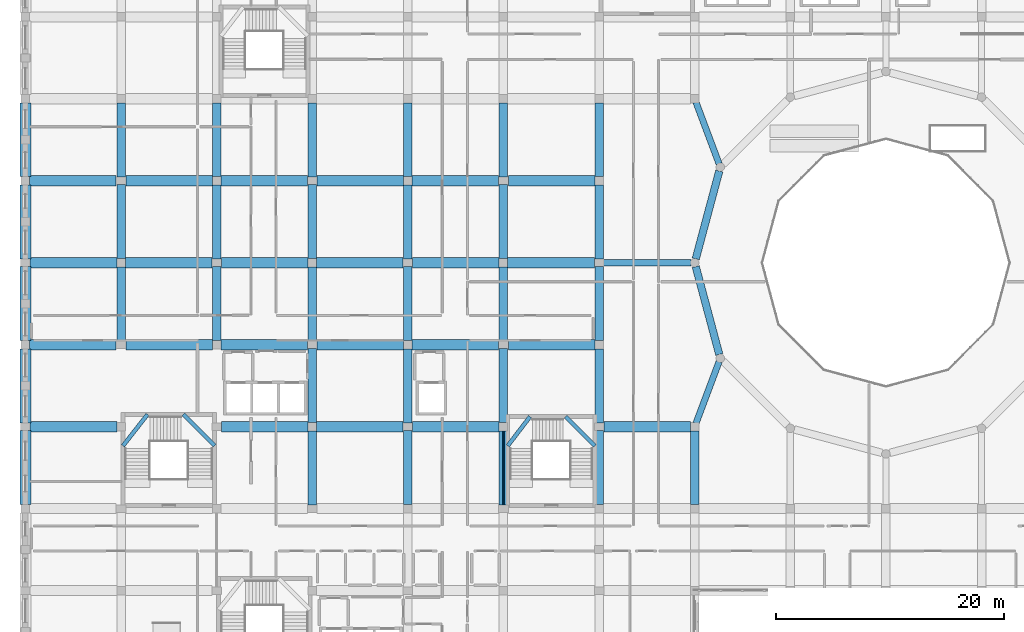
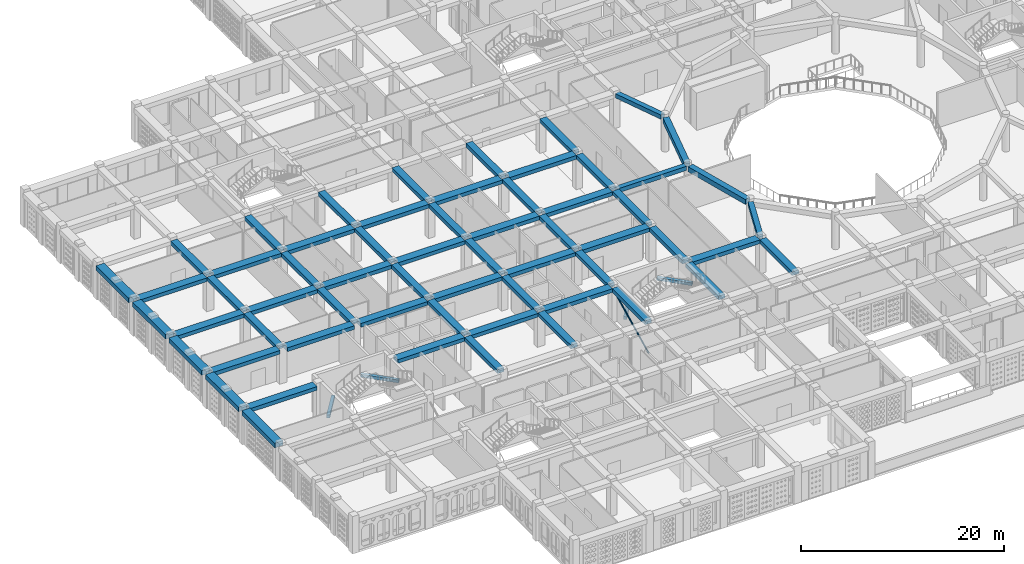
# One storey, part 13 of 111: 64 beams, 1 member.
"""IFC4 building model written with IfcOpenShell, lengths in metres."""

from ifc_helpers import new_model, si_unit, derived_unit, direction, frame, origin, origin_2d, place, context, subcontext, project, spatial, rectangle, hollow_circle, extrude, material, material_profile, profile_set, type_object, element, save


model = new_model("IFC4")

# Units and contexts
model_context = context("Model", 3, precision=1e-05, world=origin(), true_north=direction((0.0, 1.0)))
body_context = subcontext(model_context, "Body", "Model", "MODEL_VIEW")
ifc_project = project(units=[si_unit("LENGTHUNIT", "METRE"), si_unit("AREAUNIT", "SQUARE_METRE"), si_unit("VOLUMEUNIT", "CUBIC_METRE"), si_unit("PLANEANGLEUNIT", "RADIAN"), si_unit("MASSUNIT", "GRAM", prefix="KILO"), derived_unit("THERMALTRANSMITTANCEUNIT", [(si_unit("POWERUNIT", "WATT"), 1), (si_unit("LENGTHUNIT", "METRE"), -2), (si_unit("THERMODYNAMICTEMPERATUREUNIT", "KELVIN"), -1)])], contexts=[model_context])

# Site, building, storey
site_placement = place(None, origin())
site = spatial("IfcSite", under=ifc_project, at=site_placement, CompositionType="ELEMENT")
building_placement = place(site_placement, origin())
building = spatial("IfcBuilding", under=site, at=building_placement, Name="Veybourne Emporium", CompositionType="ELEMENT")
storey_placement = place(building_placement, frame((0.0, 0.0, 9.89990234375)))
storey = spatial("IfcBuildingStorey", under=building, at=storey_placement, Name="L02", CompositionType="ELEMENT", Elevation=9.89990234375)

# Beams
ifc_material_1 = material(Name="Concrete C32/40", Category="concrete")
ifc_material_profile_1 = material_profile(ifc_material_1, rectangle(XDim=0.35009765625, YDim=0.35009765625, at=origin_2d()), Name="RC 350x350")
ifc_profile_set_1 = profile_set([ifc_material_profile_1], Name="Concrete C32/40")
beam_type_1 = type_object("IfcBeamType", Name="LandingBeam_LB-01", PredefinedType="BEAM", material=ifc_profile_set_1)
beam_1_placement = place(storey_placement, frame((8.574951171875, 34.320068359375, 1.125), z_axis=(0.616136975881, 0.787639020714, 0.0), x_axis=(-0.787639020714, 0.616136975881, 0.0)))
element("IfcBeam", 1, at=beam_1_placement, inside=storey, type_object=beam_type_1, Name="L02 ST-02 landing 1 support beam", PredefinedType="BEAM", context=body_context, shape_type="SweptSolid", body=[
    extrude(rectangle(XDim=0.35009765625, YDim=0.35009765625, at=origin_2d()), origin(), (0.0, 0.0, 1.0), 3.49755859375),
])
beam_2_placement = place(storey_placement, frame((13.8701171875, 37.074951171875, 2.625), z_axis=(0.707106781187, -0.707106781187, 0.0), x_axis=(0.707106781187, 0.707106781187, 0.0)))
element("IfcBeam", 2, at=beam_2_placement, inside=storey, type_object=beam_type_1, Name="L02 ST-02 landing 2 support beam", PredefinedType="BEAM", context=body_context, shape_type="SweptSolid", body=[
    extrude(rectangle(XDim=0.35009765625, YDim=0.35009765625, at=origin_2d()), origin(), (0.0, 0.0, 1.0), 3.89599609375),
])
beam_3_placement = place(storey_placement, frame((42.375, 34.320068359375, 1.125), z_axis=(0.60770640308, 0.794161776753, 0.0), x_axis=(-0.794161776753, 0.60770640308, 0.0)))
element("IfcBeam", 3, at=beam_3_placement, inside=storey, type_object=beam_type_1, Name="L02 ST-05 landing 1 support beam", PredefinedType="BEAM", context=body_context, shape_type="SweptSolid", body=[
    extrude(rectangle(XDim=0.35009765625, YDim=0.35009765625, at=origin_2d()), origin(), (0.0, 0.0, 1.0), 3.217041015625),
])
beam_4_placement = place(storey_placement, frame((47.469970703125, 36.875, 2.625), z_axis=(0.707106781187, -0.707106781187, 0.0), x_axis=(0.707106781187, 0.707106781187, 0.0)))
element("IfcBeam", 4, at=beam_4_placement, inside=storey, type_object=beam_type_1, Name="L02 ST-05 landing 2 support beam", PredefinedType="BEAM", context=body_context, shape_type="SweptSolid", body=[
    extrude(rectangle(XDim=0.35009765625, YDim=0.35009765625, at=origin_2d()), origin(), (0.0, 0.0, 1.0), 3.61328125),
])
ifc_material_profile_2 = material_profile(ifc_material_1, rectangle(XDim=0.89990234375, YDim=0.449951171875, at=origin_2d()), Name="RC 900x450")
ifc_profile_set_2 = profile_set([ifc_material_profile_2], Name="Concrete C32/40")
beam_type_2 = type_object("IfcBeamType", Name="RCBeam_BB-03", PredefinedType="BEAM", material=ifc_profile_set_2)
beam_5_placement = place(storey_placement, frame((0.425048828125, 36.0, 3.955078125), z_axis=(1.0, 0.0, 0.0), x_axis=(0.0, 1.0, 0.0)))
element("IfcBeam", 5, at=beam_5_placement, inside=storey, type_object=beam_type_2, Name="L02 X-grid beam BB-03 (0,5)", PredefinedType="BEAM", context=body_context, shape_type="SweptSolid", body=[
    extrude(rectangle(XDim=0.89990234375, YDim=0.449951171875, at=origin_2d()), origin(), (0.0, 0.0, 1.0), 7.599853515625),
])
beam_6_placement = place(storey_placement, frame((0.375, 43.199951171875, 3.955078125), z_axis=(1.0, 0.0, 0.0), x_axis=(0.0, 1.0, 0.0)))
element("IfcBeam", 6, at=beam_6_placement, inside=storey, type_object=beam_type_2, Name="L02 X-grid beam BB-03 (0,6)", PredefinedType="BEAM", context=body_context, shape_type="SweptSolid", body=[
    extrude(rectangle(XDim=0.89990234375, YDim=0.449951171875, at=origin_2d()), origin(), (0.0, 0.0, 1.0), 7.60009765625),
])
beam_7_placement = place(storey_placement, frame((0.425048828125, 50.39990234375, 3.955078125), z_axis=(1.0, 0.0, 0.0), x_axis=(0.0, 1.0, 0.0)))
element("IfcBeam", 7, at=beam_7_placement, inside=storey, type_object=beam_type_2, Name="L02 X-grid beam BB-03 (0,7)", PredefinedType="BEAM", context=body_context, shape_type="SweptSolid", body=[
    extrude(rectangle(XDim=0.89990234375, YDim=0.449951171875, at=origin_2d()), origin(), (0.0, 0.0, 1.0), 7.599853515625),
])
for number, where, z_axis, x_axis, name in (
    (8, (0.375, 57.60009765625, 3.955078125), (1.0, 0.0, 0.0), (0.0, 1.0, 0.0), "L02 X-grid beam BB-03 (0,8)"),
    (9, (8.824951171875, 43.199951171875, 3.955078125), (1.0, 0.0, 0.0), (0.0, 1.0, 0.0), "L02 X-grid beam BB-03 (1,6)"),
    (10, (8.77490234375, 50.39990234375, 3.955078125), (1.0, 0.0, 0.0), (0.0, 1.0, 0.0), "L02 X-grid beam BB-03 (1,7)"),
    (11, (8.824951171875, 57.60009765625, 3.955078125), (1.0, 0.0, 0.0), (0.0, 1.0, 0.0), "L02 X-grid beam BB-03 (1,8)"),
):
    element("IfcBeam", number, at=place(storey_placement, frame(where, z_axis=z_axis, x_axis=x_axis)), inside=storey, type_object=beam_type_2, Name=name, PredefinedType="BEAM", context=body_context, shape_type="SweptSolid", body=[
        extrude(rectangle(XDim=0.89990234375, YDim=0.449951171875, at=origin_2d()), origin(), (0.0, 0.0, 1.0), 7.60009765625),
    ])
for number, where, z_axis, x_axis, name in (
    (12, (17.22509765625, 36.0, 3.955078125), (1.0, 0.0, 0.0), (0.0, 1.0, 0.0), "L02 X-grid beam BB-03 (2,5)"),
    (13, (17.175048828125, 43.199951171875, 3.955078125), (1.0, 0.0, 0.0), (0.0, 1.0, 0.0), "L02 X-grid beam BB-03 (2,6)"),
    (14, (17.22509765625, 50.39990234375, 3.955078125), (1.0, 0.0, 0.0), (0.0, 1.0, 0.0), "L02 X-grid beam BB-03 (2,7)"),
    (15, (17.175048828125, 57.60009765625, 3.955078125), (1.0, 0.0, 0.0), (0.0, 1.0, 0.0), "L02 X-grid beam BB-03 (2,8)"),
):
    element("IfcBeam", number, at=place(storey_placement, frame(where, z_axis=z_axis, x_axis=x_axis)), inside=storey, type_object=beam_type_2, Name=name, PredefinedType="BEAM", context=body_context, shape_type="SweptSolid", body=[
        extrude(rectangle(XDim=0.89990234375, YDim=0.449951171875, at=origin_2d()), origin(), (0.0, 0.0, 1.0), 7.599853515625),
    ])
for number, where, z_axis, x_axis, name in (
    (16, (25.574951171875, 36.0, 3.955078125), (1.0, 0.0, 0.0), (0.0, 1.0, 0.0), "L02 X-grid beam BB-03 (3,5)"),
    (17, (25.625, 43.199951171875, 3.955078125), (1.0, 0.0, 0.0), (0.0, 1.0, 0.0), "L02 X-grid beam BB-03 (3,6)"),
    (18, (25.574951171875, 50.39990234375, 3.955078125), (1.0, 0.0, 0.0), (0.0, 1.0, 0.0), "L02 X-grid beam BB-03 (3,7)"),
    (19, (25.625, 57.60009765625, 3.955078125), (1.0, 0.0, 0.0), (0.0, 1.0, 0.0), "L02 X-grid beam BB-03 (3,8)"),
    (20, (34.02490234375, 36.0, 3.955078125), (1.0, 0.0, 0.0), (0.0, 1.0, 0.0), "L02 X-grid beam BB-03 (4,5)"),
):
    element("IfcBeam", number, at=place(storey_placement, frame(where, z_axis=z_axis, x_axis=x_axis)), inside=storey, type_object=beam_type_2, Name=name, PredefinedType="BEAM", context=body_context, shape_type="SweptSolid", body=[
        extrude(rectangle(XDim=0.89990234375, YDim=0.449951171875, at=origin_2d()), origin(), (0.0, 0.0, 1.0), 7.60009765625),
    ])
beam_8_placement = place(storey_placement, frame((33.97509765625, 43.199951171875, 3.955078125), z_axis=(1.0, 0.0, 0.0), x_axis=(0.0, 1.0, 0.0)))
element("IfcBeam", 21, at=beam_8_placement, inside=storey, type_object=beam_type_2, Name="L02 X-grid beam BB-03 (4,6)", PredefinedType="BEAM", context=body_context, shape_type="SweptSolid", body=[
    extrude(rectangle(XDim=0.89990234375, YDim=0.449951171875, at=origin_2d()), origin(), (0.0, 0.0, 1.0), 7.599853515625),
])
beam_9_placement = place(storey_placement, frame((34.02490234375, 50.39990234375, 3.955078125), z_axis=(1.0, 0.0, 0.0), x_axis=(0.0, 1.0, 0.0)))
element("IfcBeam", 22, at=beam_9_placement, inside=storey, type_object=beam_type_2, Name="L02 X-grid beam BB-03 (4,7)", PredefinedType="BEAM", context=body_context, shape_type="SweptSolid", body=[
    extrude(rectangle(XDim=0.89990234375, YDim=0.449951171875, at=origin_2d()), origin(), (0.0, 0.0, 1.0), 7.60009765625),
])
for number, where, z_axis, x_axis, name in (
    (23, (33.97509765625, 57.60009765625, 3.955078125), (1.0, 0.0, 0.0), (0.0, 1.0, 0.0), "L02 X-grid beam BB-03 (4,8)"),
    (24, (42.425048828125, 43.199951171875, 3.955078125), (1.0, 0.0, 0.0), (0.0, 1.0, 0.0), "L02 X-grid beam BB-03 (5,6)"),
):
    element("IfcBeam", number, at=place(storey_placement, frame(where, z_axis=z_axis, x_axis=x_axis)), inside=storey, type_object=beam_type_2, Name=name, PredefinedType="BEAM", context=body_context, shape_type="SweptSolid", body=[
        extrude(rectangle(XDim=0.89990234375, YDim=0.449951171875, at=origin_2d()), origin(), (0.0, 0.0, 1.0), 7.599853515625),
    ])
beam_10_placement = place(storey_placement, frame((42.375, 50.39990234375, 3.955078125), z_axis=(1.0, 0.0, 0.0), x_axis=(0.0, 1.0, 0.0)))
element("IfcBeam", 25, at=beam_10_placement, inside=storey, type_object=beam_type_2, Name="L02 X-grid beam BB-03 (5,7)", PredefinedType="BEAM", context=body_context, shape_type="SweptSolid", body=[
    extrude(rectangle(XDim=0.89990234375, YDim=0.449951171875, at=origin_2d()), origin(), (0.0, 0.0, 1.0), 7.60009765625),
])
beam_11_placement = place(storey_placement, frame((42.425048828125, 57.60009765625, 3.955078125), z_axis=(1.0, 0.0, 0.0), x_axis=(0.0, 1.0, 0.0)))
element("IfcBeam", 26, at=beam_11_placement, inside=storey, type_object=beam_type_2, Name="L02 X-grid beam BB-03 (5,8)", PredefinedType="BEAM", context=body_context, shape_type="SweptSolid", body=[
    extrude(rectangle(XDim=0.89990234375, YDim=0.449951171875, at=origin_2d()), origin(), (0.0, 0.0, 1.0), 7.599853515625),
])
beam_12_placement = place(storey_placement, frame((50.824951171875, 36.0, 3.955078125), z_axis=(1.0, 0.0, 0.0), x_axis=(0.0, 1.0, 0.0)))
element("IfcBeam", 27, at=beam_12_placement, inside=storey, type_object=beam_type_2, Name="L02 X-grid beam BB-03 (6,5)", PredefinedType="BEAM", context=body_context, shape_type="SweptSolid", body=[
    extrude(rectangle(XDim=0.89990234375, YDim=0.449951171875, at=origin_2d()), origin(), (0.0, 0.0, 1.0), 7.60009765625),
])
ifc_material_profile_3 = material_profile(ifc_material_1, rectangle(XDim=0.75, YDim=0.449951171875, at=origin_2d()), Name="RC 750x450")
ifc_profile_set_3 = profile_set([ifc_material_profile_3], Name="Concrete C32/40")
beam_type_3 = type_object("IfcBeamType", Name="RCBeam_BB-04", PredefinedType="BEAM", material=ifc_profile_set_3)
for number, where, z_axis, x_axis, name in (
    (28, (8.39990234375, 43.52490234375, 3.955078125), (0.0, 1.0, 0.0), (-1.0, 0.0, 0.0), "L02 Y-grid beam BB-04 (1,6)"),
    (29, (8.39990234375, 50.77490234375, 3.955078125), (0.0, 1.0, 0.0), (-1.0, 0.0, 0.0), "L02 Y-grid beam BB-04 (1,7)"),
    (30, (8.39990234375, 57.925048828125, 3.955078125), (0.0, 1.0, 0.0), (-1.0, 0.0, 0.0), "L02 Y-grid beam BB-04 (1,8)"),
    (31, (16.800048828125, 43.574951171875, 3.955078125), (0.0, 1.0, 0.0), (-1.0, 0.0, 0.0), "L02 Y-grid beam BB-04 (2,6)"),
    (32, (16.800048828125, 50.72509765625, 3.955078125), (0.0, 1.0, 0.0), (-1.0, 0.0, 0.0), "L02 Y-grid beam BB-04 (2,7)"),
):
    element("IfcBeam", number, at=place(storey_placement, frame(where, z_axis=z_axis, x_axis=x_axis)), inside=storey, type_object=beam_type_3, Name=name, PredefinedType="BEAM", context=body_context, shape_type="SweptSolid", body=[
        extrude(rectangle(XDim=0.75, YDim=0.449951171875, at=origin_2d()), origin(), (0.0, 0.0, 1.0), 6.5),
    ])
beam_13_placement = place(storey_placement, frame((16.800048828125, 57.97509765625, 3.955078125), z_axis=(0.0, 1.0, 0.0), x_axis=(-1.0, 0.0, 0.0)))
element("IfcBeam", 33, at=beam_13_placement, inside=storey, type_object=beam_type_3, Name="L02 Y-grid beam BB-04 (2,8)", PredefinedType="BEAM", context=body_context, shape_type="SweptSolid", body=[
    extrude(rectangle(XDim=0.75, YDim=0.449951171875, at=origin_2d()), origin(), (0.0, 0.0, 1.0), 6.449951171875),
])
for number, where, z_axis, x_axis, name in (
    (34, (25.199951171875, 29.125, 3.955078125), (0.0, 1.0, 0.0), (-1.0, 0.0, 0.0), "L02 Y-grid beam BB-04 (3,4)"),
    (35, (25.199951171875, 36.375, 3.955078125), (0.0, 1.0, 0.0), (-1.0, 0.0, 0.0), "L02 Y-grid beam BB-04 (3,5)"),
    (36, (25.199951171875, 43.52490234375, 3.955078125), (0.0, 1.0, 0.0), (-1.0, 0.0, 0.0), "L02 Y-grid beam BB-04 (3,6)"),
    (37, (25.199951171875, 50.77490234375, 3.955078125), (0.0, 1.0, 0.0), (-1.0, 0.0, 0.0), "L02 Y-grid beam BB-04 (3,7)"),
    (38, (25.199951171875, 57.925048828125, 3.955078125), (0.0, 1.0, 0.0), (-1.0, 0.0, 0.0), "L02 Y-grid beam BB-04 (3,8)"),
    (39, (33.60009765625, 29.175048828125, 3.955078125), (0.0, 1.0, 0.0), (-1.0, 0.0, 0.0), "L02 Y-grid beam BB-04 (4,4)"),
    (40, (33.60009765625, 36.324951171875, 3.955078125), (0.0, 1.0, 0.0), (-1.0, 0.0, 0.0), "L02 Y-grid beam BB-04 (4,5)"),
    (41, (33.60009765625, 43.574951171875, 3.955078125), (0.0, 1.0, 0.0), (-1.0, 0.0, 0.0), "L02 Y-grid beam BB-04 (4,6)"),
    (42, (33.60009765625, 50.72509765625, 3.955078125), (0.0, 1.0, 0.0), (-1.0, 0.0, 0.0), "L02 Y-grid beam BB-04 (4,7)"),
):
    element("IfcBeam", number, at=place(storey_placement, frame(where, z_axis=z_axis, x_axis=x_axis)), inside=storey, type_object=beam_type_3, Name=name, PredefinedType="BEAM", context=body_context, shape_type="SweptSolid", body=[
        extrude(rectangle(XDim=0.75, YDim=0.449951171875, at=origin_2d()), origin(), (0.0, 0.0, 1.0), 6.5),
    ])
beam_14_placement = place(storey_placement, frame((33.60009765625, 57.97509765625, 3.955078125), z_axis=(0.0, 1.0, 0.0), x_axis=(-1.0, 0.0, 0.0)))
element("IfcBeam", 43, at=beam_14_placement, inside=storey, type_object=beam_type_3, Name="L02 Y-grid beam BB-04 (4,8)", PredefinedType="BEAM", context=body_context, shape_type="SweptSolid", body=[
    extrude(rectangle(XDim=0.75, YDim=0.449951171875, at=origin_2d()), origin(), (0.0, 0.0, 1.0), 6.449951171875),
])
for number, where, z_axis, x_axis, name in (
    (44, (42.0, 29.125, 3.955078125), (0.0, 1.0, 0.0), (-1.0, 0.0, 0.0), "L02 Y-grid beam BB-04 (5,4)"),
    (45, (42.0, 36.375, 3.955078125), (0.0, 1.0, 0.0), (-1.0, 0.0, 0.0), "L02 Y-grid beam BB-04 (5,5)"),
    (46, (42.0, 43.52490234375, 3.955078125), (0.0, 1.0, 0.0), (-1.0, 0.0, 0.0), "L02 Y-grid beam BB-04 (5,6)"),
    (47, (42.0, 50.77490234375, 3.955078125), (0.0, 1.0, 0.0), (-1.0, 0.0, 0.0), "L02 Y-grid beam BB-04 (5,7)"),
    (48, (42.0, 57.925048828125, 3.955078125), (0.0, 1.0, 0.0), (-1.0, 0.0, 0.0), "L02 Y-grid beam BB-04 (5,8)"),
    (49, (50.39990234375, 29.175048828125, 3.955078125), (0.0, 1.0, 0.0), (-1.0, 0.0, 0.0), "L02 Y-grid beam BB-04 (6,4)"),
    (50, (50.39990234375, 36.324951171875, 3.955078125), (0.0, 1.0, 0.0), (-1.0, 0.0, 0.0), "L02 Y-grid beam BB-04 (6,5)"),
    (51, (50.39990234375, 43.574951171875, 3.955078125), (0.0, 1.0, 0.0), (-1.0, 0.0, 0.0), "L02 Y-grid beam BB-04 (6,6)"),
    (52, (50.39990234375, 50.72509765625, 3.955078125), (0.0, 1.0, 0.0), (-1.0, 0.0, 0.0), "L02 Y-grid beam BB-04 (6,7)"),
):
    element("IfcBeam", number, at=place(storey_placement, frame(where, z_axis=z_axis, x_axis=x_axis)), inside=storey, type_object=beam_type_3, Name=name, PredefinedType="BEAM", context=body_context, shape_type="SweptSolid", body=[
        extrude(rectangle(XDim=0.75, YDim=0.449951171875, at=origin_2d()), origin(), (0.0, 0.0, 1.0), 6.5),
    ])
for number, where, z_axis, x_axis, name in (
    (53, (50.39990234375, 57.97509765625, 3.955078125), (0.0, 1.0, 0.0), (-1.0, 0.0, 0.0), "L02 Y-grid beam BB-04 (6,8)"),
    (54, (58.800048828125, 29.175048828125, 3.955078125), (0.0, 1.0, 0.0), (-1.0, 0.0, 0.0), "L02 Y-grid beam BB-04 (7,4)"),
):
    element("IfcBeam", number, at=place(storey_placement, frame(where, z_axis=z_axis, x_axis=x_axis)), inside=storey, type_object=beam_type_3, Name=name, PredefinedType="BEAM", context=body_context, shape_type="SweptSolid", body=[
        extrude(rectangle(XDim=0.75, YDim=0.449951171875, at=origin_2d()), origin(), (0.0, 0.0, 1.0), 6.449951171875),
    ])
ifc_material_profile_4 = material_profile(ifc_material_1, rectangle(XDim=0.949951171875, YDim=0.550048828125, at=origin_2d()), Name="RC 950x550")
ifc_profile_set_4 = profile_set([ifc_material_profile_4], Name="Concrete C32/40")
beam_type_4 = type_object("IfcBeamType", Name="RCBeam_EB-01", PredefinedType="SPANDREL", material=ifc_profile_set_4)
for number, where, z_axis, x_axis, name in (
    (55, (0.0, 29.175048828125, 3.905029296875), (0.0, 1.0, 0.0), (-1.0, 0.0, 0.0), "L02 Y-grid beam EB-01 (0,4)"),
    (56, (0.0, 36.324951171875, 3.905029296875), (0.0, 1.0, 0.0), (-1.0, 0.0, 0.0), "L02 Y-grid beam EB-01 (0,5)"),
    (57, (0.0, 43.574951171875, 3.905029296875), (0.0, 1.0, 0.0), (-1.0, 0.0, 0.0), "L02 Y-grid beam EB-01 (0,6)"),
    (58, (0.0, 50.72509765625, 3.905029296875), (0.0, 1.0, 0.0), (-1.0, 0.0, 0.0), "L02 Y-grid beam EB-01 (0,7)"),
):
    element("IfcBeam", number, at=place(storey_placement, frame(where, z_axis=z_axis, x_axis=x_axis)), inside=storey, type_object=beam_type_4, Name=name, PredefinedType="SPANDREL", context=body_context, shape_type="SweptSolid", body=[
        extrude(rectangle(XDim=0.949951171875, YDim=0.550048828125, at=origin_2d()), origin(), (0.0, 0.0, 1.0), 6.5),
    ])
beam_15_placement = place(storey_placement, frame((0.0, 57.97509765625, 3.905029296875), z_axis=(0.0, 1.0, 0.0), x_axis=(-1.0, 0.0, 0.0)))
element("IfcBeam", 59, at=beam_15_placement, inside=storey, type_object=beam_type_4, Name="L02 Y-grid beam EB-01 (0,8)", PredefinedType="SPANDREL", context=body_context, shape_type="SweptSolid", body=[
    extrude(rectangle(XDim=0.949951171875, YDim=0.550048828125, at=origin_2d()), origin(), (0.0, 0.0, 1.0), 6.449951171875),
])
ifc_material_profile_5 = material_profile(ifc_material_1, rectangle(XDim=0.64990234375, YDim=0.60009765625, at=origin_2d()), Name="RC 650x600")
ifc_profile_set_5 = profile_set([ifc_material_profile_5], Name="Concrete C32/40")
beam_type_5 = type_object("IfcBeamType", Name="RCBeam_EB-02", PredefinedType="BEAM", material=ifc_profile_set_5)
for number, where, z_axis, x_axis, name in (
    (60, (60.958984375, 58.45703125, 3.880126953125), (-0.258836425556, -0.965921169043, 0.0), (0.965921169043, -0.258836425556, 0.0), "Atrium ring beam EB-02 L02-06"),
    (61, (58.891845703125, 50.05712890625, 3.880126953125), (0.258836425556, -0.965921169043, 0.0), (0.965921169043, 0.258836425556, 0.0), "Atrium ring beam EB-02 L02-07"),
):
    element("IfcBeam", number, at=place(storey_placement, frame(where, z_axis=z_axis, x_axis=x_axis)), inside=storey, type_object=beam_type_5, Name=name, PredefinedType="BEAM", context=body_context, shape_type="SweptSolid", body=[
        extrude(rectangle(XDim=0.64990234375, YDim=0.60009765625, at=origin_2d()), origin(), (0.0, 0.0, 1.0), 7.986328125),
    ])
ifc_material_profile_6 = material_profile(ifc_material_1, rectangle(XDim=0.550048828125, YDim=0.5, at=origin_2d()), Name="RC 550x500")
ifc_profile_set_6 = profile_set([ifc_material_profile_6], Name="Concrete C32/40")
beam_type_6 = type_object("IfcBeamType", Name="RCBeam_TB-01", PredefinedType="BEAM", material=ifc_profile_set_6)
beam_16_placement = place(storey_placement, frame((60.940185546875, 59.094970703125, 3.93017578125), z_axis=(-0.351234565667, 0.936287498518, 0.0), x_axis=(-0.936287498518, -0.351234565667, 0.0)))
element("IfcBeam", 62, at=beam_16_placement, inside=storey, type_object=beam_type_6, Name="Atrium radial tie beam L02-06", PredefinedType="BEAM", context=body_context, shape_type="SweptSolid", body=[
    extrude(rectangle(XDim=0.550048828125, YDim=0.5, at=origin_2d()), origin(), (0.0, 0.0, 1.0), 5.7783203125),
])
beam_17_placement = place(storey_placement, frame((58.485107421875, 50.39990234375, 3.93017578125), z_axis=(-1.0, 0.0, 0.0), x_axis=(0.0, -1.0, 0.0)))
element("IfcBeam", 63, at=beam_17_placement, inside=storey, type_object=beam_type_6, Name="Atrium radial tie beam L02-07", PredefinedType="BEAM", context=body_context, shape_type="SweptSolid", body=[
    extrude(rectangle(XDim=0.550048828125, YDim=0.5, at=origin_2d()), origin(), (0.0, 0.0, 1.0), 7.820068359375),
])
beam_18_placement = place(storey_placement, frame((60.940185546875, 41.705078125, 3.93017578125), z_axis=(-0.351234565667, -0.936287498518, 0.0), x_axis=(0.936287498518, -0.351234565667, 0.0)))
element("IfcBeam", 64, at=beam_18_placement, inside=storey, type_object=beam_type_6, Name="Atrium radial tie beam L02-08", PredefinedType="BEAM", context=body_context, shape_type="SweptSolid", body=[
    extrude(rectangle(XDim=0.550048828125, YDim=0.5, at=origin_2d()), origin(), (0.0, 0.0, 1.0), 5.7783203125),
])

# Member
ifc_material_2 = material(Name="Steel S355", Category="steel")
ifc_material_profile_7 = material_profile(ifc_material_2, hollow_circle(Radius=0.084228515625, WallThickness=0.008056640625, at=origin_2d()), Name="CHS 168.3x8.0")
ifc_profile_set_7 = profile_set([ifc_material_profile_7], Name="Steel S355")
member_type = type_object("IfcMemberType", Name="SteelMem_DB-01", PredefinedType="BRACE", material=ifc_profile_set_7)
member_placement = place(storey_placement, frame((42.0, 29.02001953125, 0.25), z_axis=(0.0, 0.897061623358, 0.441905469414), x_axis=(-1.0, 0.0, 0.0)))
element("IfcMember", 65, at=member_placement, inside=storey, type_object=member_type, Name="Internal lateral frame brace DB-01.08 (L02)", PredefinedType="BRACE", context=body_context, shape_type="SweptSolid", body=[
    extrude(hollow_circle(Radius=0.084228515625, WallThickness=0.008056640625, at=origin_2d()), origin(), (0.0, 0.0, 1.0), 7.53564453125),
])

save(model, "model.ifc")
